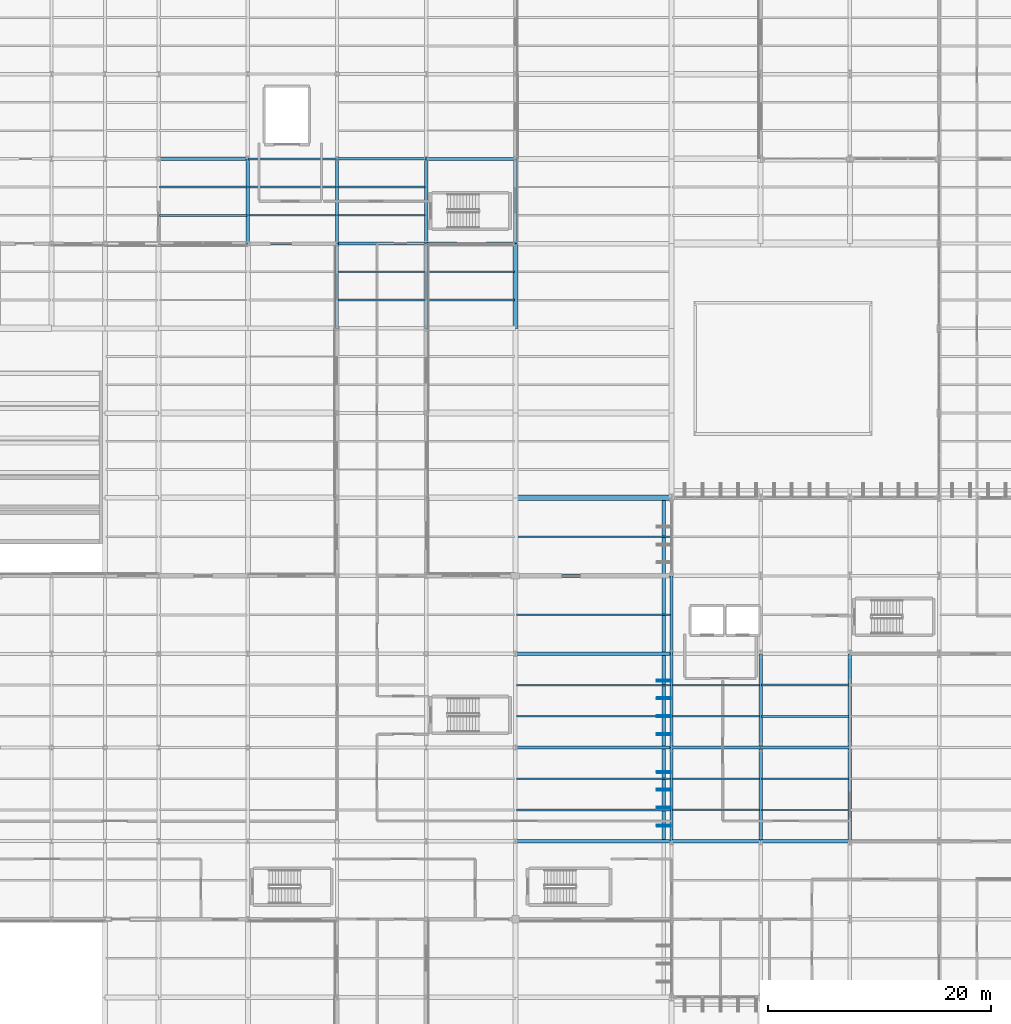
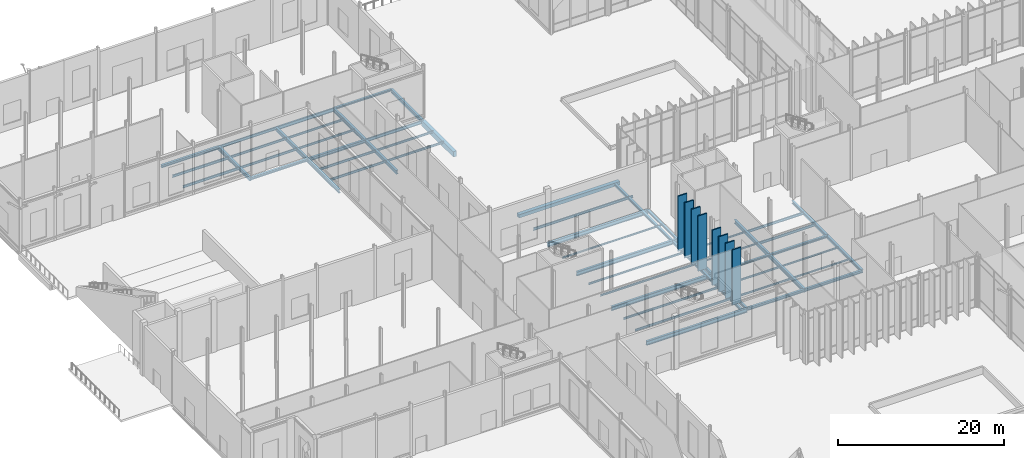
# One storey, part 57 of 176: 56 beams, 8 members.
"""IFC4 building model written with IfcOpenShell, lengths in metres."""

from ifc_helpers import new_model, si_unit, direction, frame, origin, origin_2d, place, context, subcontext, project, spatial, rectangle, hollow_rectangle, i_section, extrude, material, material_profile, profile_set, type_object, element, save


model = new_model("IFC4")

# Units and contexts
model_context = context("Model", 3, precision=1e-05, world=origin(), true_north=direction((0.0, 1.0)))
body_context = subcontext(model_context, "Body", "Model", "MODEL_VIEW")
ifc_project = project(units=[si_unit("LENGTHUNIT", "METRE"), si_unit("AREAUNIT", "SQUARE_METRE"), si_unit("VOLUMEUNIT", "CUBIC_METRE"), si_unit("PLANEANGLEUNIT", "RADIAN"), si_unit("MASSUNIT", "GRAM", prefix="KILO")], contexts=[model_context])

# Site, building, storey
site_placement = place(None, origin())
site = spatial("IfcSite", under=ifc_project, at=site_placement, CompositionType="ELEMENT")
building_placement = place(site_placement, origin())
building = spatial("IfcBuilding", under=site, at=building_placement, Name="Vekula Escarpment Museum", CompositionType="ELEMENT")
storey_placement = place(building_placement, origin())
storey = spatial("IfcBuildingStorey", under=building, at=storey_placement, Name="L01", CompositionType="ELEMENT", Elevation=0.0)

# Beams
ifc_material_1 = material(Name="Steel S355", Category="steel")
ifc_material_profile_1 = material_profile(ifc_material_1, i_section(OverallWidth=0.280029296875, OverallDepth=0.280029296875, WebThickness=0.010498046875, FlangeThickness=0.01806640625, FilletRadius=0.02392578125, at=origin_2d()), Name="HEB 280")
ifc_profile_set_1 = profile_set([ifc_material_profile_1], Name="Steel S355")
beam_type_1 = type_object("IfcBeamType", Name="BM-GIRD-HEB280", PredefinedType="BEAM", material=ifc_profile_set_1)
for number, where, z_axis, x_axis, name in (
    (1, (70.0, 68.0, -0.43994140625), (1.0, 0.0, 0.0), (0.0, 1.0, 0.0), "Beam X L01 0192"),
    (2, (48.0, 120.800048828125, -0.489990234375), (1.0, 0.0, 0.0), (0.0, 1.0, 0.0), "Beam X L01 0337"),
):
    element("IfcBeam", number, at=place(storey_placement, frame(where, z_axis=z_axis, x_axis=x_axis)), inside=storey, type_object=beam_type_1, Name=name, PredefinedType="BEAM", context=body_context, shape_type="SweptSolid", body=[
        extrude(i_section(OverallWidth=0.280029296875, OverallDepth=0.280029296875, WebThickness=0.010498046875, FlangeThickness=0.01806640625, FilletRadius=0.02392578125, at=origin_2d()), origin(), (0.0, 0.0, 1.0), 8.0),
    ])
ifc_material_2 = material(Name="Steel S355", Category="steel")
ifc_material_profile_2 = material_profile(ifc_material_2, i_section(OverallWidth=0.300048828125, OverallDepth=0.320068359375, WebThickness=0.011474609375, FlangeThickness=0.0205078125, FilletRadius=0.027099609375, at=origin_2d()), Name="HEB 320")
ifc_profile_set_2 = profile_set([ifc_material_profile_2], Name="Steel S355")
beam_type_2 = type_object("IfcBeamType", Name="BM-GIRD-HEB320", PredefinedType="BEAM", material=ifc_profile_set_2)
beam_1_placement = place(storey_placement, frame((78.0, 68.0, -0.4599609375), z_axis=(1.0, 0.0, 0.0), x_axis=(0.0, 1.0, 0.0)))
element("IfcBeam", 3, at=beam_1_placement, inside=storey, type_object=beam_type_2, Name="Beam X L01 0193", PredefinedType="BEAM", context=body_context, shape_type="SweptSolid", body=[
    extrude(i_section(OverallWidth=0.300048828125, OverallDepth=0.320068359375, WebThickness=0.011474609375, FlangeThickness=0.0205078125, FilletRadius=0.027099609375, at=origin_2d()), origin(), (0.0, 0.0, 1.0), 8.0),
])
ifc_material_3 = material(Name="Steel S355", Category="steel")
ifc_material_profile_3 = material_profile(ifc_material_3, i_section(OverallWidth=0.300048828125, OverallDepth=0.360107421875, WebThickness=0.012451171875, FlangeThickness=0.0224609375, FilletRadius=0.027099609375, at=origin_2d()), Name="HEB 360")
ifc_profile_set_3 = profile_set([ifc_material_profile_3], Name="Steel S355")
beam_type_3 = type_object("IfcBeamType", Name="BM-GIRD-HEB360", PredefinedType="BEAM", material=ifc_profile_set_3)
beam_2_placement = place(storey_placement, frame((32.0, 113.199951171875, -0.530029296875), z_axis=(1.0, 0.0, 0.0), x_axis=(0.0, 1.0, 0.0)))
element("IfcBeam", 4, at=beam_2_placement, inside=storey, type_object=beam_type_3, Name="Beam X L01 0312", PredefinedType="BEAM", context=body_context, shape_type="SweptSolid", body=[
    extrude(i_section(OverallWidth=0.300048828125, OverallDepth=0.360107421875, WebThickness=0.012451171875, FlangeThickness=0.0224609375, FilletRadius=0.027099609375, at=origin_2d()), origin(), (0.0, 0.0, 1.0), 8.0),
])
beam_3_placement = place(storey_placement, frame((69.320068359375, 59.75, -0.47998046875), z_axis=(0.0, 1.0, 0.0), x_axis=(-1.0, 0.0, 0.0)))
element("IfcBeam", 5, at=beam_3_placement, inside=storey, type_object=beam_type_3, Name="Solar Fin Sill Girder 018", PredefinedType="BEAM", context=body_context, shape_type="SweptSolid", body=[
    extrude(i_section(OverallWidth=0.300048828125, OverallDepth=0.360107421875, WebThickness=0.012451171875, FlangeThickness=0.0224609375, FilletRadius=0.027099609375, at=origin_2d()), origin(), (0.0, 0.0, 1.0), 16.5),
])
beam_4_placement = place(storey_placement, frame((69.320068359375, 76.550048828125, -0.47998046875), z_axis=(0.0, 1.0, 0.0), x_axis=(-1.0, 0.0, 0.0)))
element("IfcBeam", 6, at=beam_4_placement, inside=storey, type_object=beam_type_3, Name="Solar Fin Sill Girder 019", PredefinedType="BEAM", context=body_context, shape_type="SweptSolid", body=[
    extrude(i_section(OverallWidth=0.300048828125, OverallDepth=0.360107421875, WebThickness=0.012451171875, FlangeThickness=0.0224609375, FilletRadius=0.027099609375, at=origin_2d()), origin(), (0.0, 0.0, 1.0), 13.599853515625),
])
ifc_material_4 = material(Name="Steel S355", Category="steel")
ifc_material_profile_4 = material_profile(ifc_material_4, i_section(OverallWidth=0.300048828125, OverallDepth=0.39990234375, WebThickness=0.013427734375, FlangeThickness=0.02392578125, FilletRadius=0.027099609375, at=origin_2d()), Name="HEB 400")
ifc_profile_set_4 = profile_set([ifc_material_profile_4], Name="Steel S355")
beam_type_4 = type_object("IfcBeamType", Name="BM-GIRD-HEB400", PredefinedType="BEAM", material=ifc_profile_set_4)
beam_5_placement = place(storey_placement, frame((24.0, 120.800048828125, -0.550048828125), z_axis=(1.0, 0.0, 0.0), x_axis=(0.0, 1.0, 0.0)))
element("IfcBeam", 7, at=beam_5_placement, inside=storey, type_object=beam_type_4, Name="Beam X L01 0334", PredefinedType="BEAM", context=body_context, shape_type="SweptSolid", body=[
    extrude(i_section(OverallWidth=0.300048828125, OverallDepth=0.39990234375, WebThickness=0.013427734375, FlangeThickness=0.02392578125, FilletRadius=0.027099609375, at=origin_2d()), origin(), (0.0, 0.0, 1.0), 8.0),
])
ifc_material_5 = material(Name="Steel S355", Category="steel")
ifc_material_profile_5 = material_profile(ifc_material_5, i_section(OverallWidth=0.300048828125, OverallDepth=0.449951171875, WebThickness=0.013916015625, FlangeThickness=0.02587890625, FilletRadius=0.027099609375, at=origin_2d()), Name="HEB 450")
ifc_profile_set_5 = profile_set([ifc_material_profile_5], Name="Steel S355")
beam_type_5 = type_object("IfcBeamType", Name="BM-GIRD-HEB450", PredefinedType="BEAM", material=ifc_profile_set_5)
beam_6_placement = place(storey_placement, frame((40.0, 113.199951171875, -0.574951171875), z_axis=(1.0, 0.0, 0.0), x_axis=(0.0, 1.0, 0.0)))
element("IfcBeam", 8, at=beam_6_placement, inside=storey, type_object=beam_type_5, Name="Beam X L01 0313", PredefinedType="BEAM", context=body_context, shape_type="SweptSolid", body=[
    extrude(i_section(OverallWidth=0.300048828125, OverallDepth=0.449951171875, WebThickness=0.013916015625, FlangeThickness=0.02587890625, FilletRadius=0.027099609375, at=origin_2d()), origin(), (0.0, 0.0, 1.0), 8.0),
])
ifc_material_6 = material(Name="Steel S355", Category="steel")
ifc_material_profile_6 = material_profile(ifc_material_6, i_section(OverallWidth=0.300048828125, OverallDepth=0.550048828125, WebThickness=0.014892578125, FlangeThickness=0.029052734375, FilletRadius=0.027099609375, at=origin_2d()), Name="HEB 550")
ifc_profile_set_6 = profile_set([ifc_material_profile_6], Name="Steel S355")
beam_type_6 = type_object("IfcBeamType", Name="BM-GIRD-HEB550", PredefinedType="BEAM", material=ifc_profile_set_6)
beam_7_placement = place(storey_placement, frame((32.0, 113.199951171875, -0.625), z_axis=(0.0, 1.0, 0.0), x_axis=(-1.0, 0.0, 0.0)))
element("IfcBeam", 9, at=beam_7_placement, inside=storey, type_object=beam_type_6, Name="Beam Y L01 0476", PredefinedType="BEAM", context=body_context, shape_type="SweptSolid", body=[
    extrude(i_section(OverallWidth=0.300048828125, OverallDepth=0.550048828125, WebThickness=0.014892578125, FlangeThickness=0.029052734375, FilletRadius=0.027099609375, at=origin_2d()), origin(), (0.0, 0.0, 1.0), 7.60009765625),
])
beam_8_placement = place(storey_placement, frame((40.0, 105.60009765625, -0.625), z_axis=(0.0, 1.0, 0.0), x_axis=(-1.0, 0.0, 0.0)))
element("IfcBeam", 10, at=beam_8_placement, inside=storey, type_object=beam_type_6, Name="Beam Y L01 0493", PredefinedType="BEAM", context=body_context, shape_type="SweptSolid", body=[
    extrude(i_section(OverallWidth=0.300048828125, OverallDepth=0.550048828125, WebThickness=0.014892578125, FlangeThickness=0.029052734375, FilletRadius=0.027099609375, at=origin_2d()), origin(), (0.0, 0.0, 1.0), 7.599853515625),
])
beam_9_placement = place(storey_placement, frame((40.0, 113.199951171875, -0.625), z_axis=(0.0, 1.0, 0.0), x_axis=(-1.0, 0.0, 0.0)))
element("IfcBeam", 11, at=beam_9_placement, inside=storey, type_object=beam_type_6, Name="Beam Y L01 0494", PredefinedType="BEAM", context=body_context, shape_type="SweptSolid", body=[
    extrude(i_section(OverallWidth=0.300048828125, OverallDepth=0.550048828125, WebThickness=0.014892578125, FlangeThickness=0.029052734375, FilletRadius=0.027099609375, at=origin_2d()), origin(), (0.0, 0.0, 1.0), 7.60009765625),
])
beam_10_placement = place(storey_placement, frame((48.0, 105.60009765625, -0.625), z_axis=(0.0, 1.0, 0.0), x_axis=(-1.0, 0.0, 0.0)))
element("IfcBeam", 12, at=beam_10_placement, inside=storey, type_object=beam_type_6, Name="Beam Y L01 0511", PredefinedType="BEAM", context=body_context, shape_type="SweptSolid", body=[
    extrude(i_section(OverallWidth=0.300048828125, OverallDepth=0.550048828125, WebThickness=0.014892578125, FlangeThickness=0.029052734375, FilletRadius=0.027099609375, at=origin_2d()), origin(), (0.0, 0.0, 1.0), 7.599853515625),
])
for number, where, z_axis, x_axis, name in (
    (13, (48.0, 113.199951171875, -0.625), (0.0, 1.0, 0.0), (-1.0, 0.0, 0.0), "Beam Y L01 0512"),
    (14, (56.0, 113.199951171875, -0.625), (0.0, 1.0, 0.0), (-1.0, 0.0, 0.0), "Beam Y L01 0530"),
):
    element("IfcBeam", number, at=place(storey_placement, frame(where, z_axis=z_axis, x_axis=x_axis)), inside=storey, type_object=beam_type_6, Name=name, PredefinedType="BEAM", context=body_context, shape_type="SweptSolid", body=[
        extrude(i_section(OverallWidth=0.300048828125, OverallDepth=0.550048828125, WebThickness=0.014892578125, FlangeThickness=0.029052734375, FilletRadius=0.027099609375, at=origin_2d()), origin(), (0.0, 0.0, 1.0), 7.60009765625),
    ])
for number, where, z_axis, x_axis, name in (
    (15, (78.0, 59.60009765625, -0.574951171875), (0.0, 1.0, 0.0), (-1.0, 0.0, 0.0), "Beam Y L01 0557"),
    (16, (78.0, 68.0, -0.574951171875), (0.0, 1.0, 0.0), (-1.0, 0.0, 0.0), "Beam Y L01 0558"),
):
    element("IfcBeam", number, at=place(storey_placement, frame(where, z_axis=z_axis, x_axis=x_axis)), inside=storey, type_object=beam_type_6, Name=name, PredefinedType="BEAM", context=body_context, shape_type="SweptSolid", body=[
        extrude(i_section(OverallWidth=0.300048828125, OverallDepth=0.550048828125, WebThickness=0.014892578125, FlangeThickness=0.029052734375, FilletRadius=0.027099609375, at=origin_2d()), origin(), (0.0, 0.0, 1.0), 8.39990234375),
    ])
ifc_material_7 = material(Name="Steel S355", Category="steel")
ifc_material_profile_7 = material_profile(ifc_material_7, i_section(OverallWidth=0.300048828125, OverallDepth=0.60009765625, WebThickness=0.015380859375, FlangeThickness=0.030029296875, FilletRadius=0.027099609375, at=origin_2d()), Name="HEB 600")
ifc_profile_set_7 = profile_set([ifc_material_profile_7], Name="Steel S355")
beam_type_7 = type_object("IfcBeamType", Name="BM-GIRD-HEB600", PredefinedType="BEAM", material=ifc_profile_set_7)
for number, where, z_axis, x_axis, name in (
    (17, (56.0, 59.60009765625, -0.60009765625), (1.0, 0.0, 0.0), (0.0, 1.0, 0.0), "Beam X L01 0168"),
    (18, (56.0, 68.0, -0.60009765625), (1.0, 0.0, 0.0), (0.0, 1.0, 0.0), "Beam X L01 0191"),
    (19, (56.0, 76.39990234375, -0.60009765625), (1.0, 0.0, 0.0), (0.0, 1.0, 0.0), "Beam X L01 0214"),
    (20, (56.0, 83.39990234375, -0.60009765625), (1.0, 0.0, 0.0), (0.0, 1.0, 0.0), "Beam X L01 0237"),
):
    element("IfcBeam", number, at=place(storey_placement, frame(where, z_axis=z_axis, x_axis=x_axis)), inside=storey, type_object=beam_type_7, Name=name, PredefinedType="BEAM", context=body_context, shape_type="SweptSolid", body=[
        extrude(i_section(OverallWidth=0.300048828125, OverallDepth=0.60009765625, WebThickness=0.015380859375, FlangeThickness=0.030029296875, FilletRadius=0.027099609375, at=origin_2d()), origin(), (0.0, 0.0, 1.0), 14.0),
    ])
ifc_material_8 = material(Name="Steel S355", Category="steel")
ifc_material_profile_8 = material_profile(ifc_material_8, i_section(OverallWidth=0.179931640625, OverallDepth=0.39990234375, WebThickness=0.008544921875, FlangeThickness=0.013427734375, FilletRadius=0.02099609375, at=origin_2d()), Name="IPE 400")
ifc_profile_set_8 = profile_set([ifc_material_profile_8], Name="Steel S355")
beam_type_8 = type_object("IfcBeamType", Name="BM-GIRD-IPE400", PredefinedType="BEAM", material=ifc_profile_set_8)
beam_11_placement = place(storey_placement, frame((32.0, 120.800048828125, -0.550048828125), z_axis=(1.0, 0.0, 0.0), x_axis=(0.0, 1.0, 0.0)))
element("IfcBeam", 21, at=beam_11_placement, inside=storey, type_object=beam_type_8, Name="Beam X L01 0335", PredefinedType="BEAM", context=body_context, shape_type="SweptSolid", body=[
    extrude(i_section(OverallWidth=0.179931640625, OverallDepth=0.39990234375, WebThickness=0.008544921875, FlangeThickness=0.013427734375, FilletRadius=0.02099609375, at=origin_2d()), origin(), (0.0, 0.0, 1.0), 8.0),
])
ifc_material_9 = material(Name="Steel S355", Category="steel")
ifc_material_profile_9 = material_profile(ifc_material_9, i_section(OverallWidth=0.18994140625, OverallDepth=0.449951171875, WebThickness=0.009521484375, FlangeThickness=0.0146484375, FilletRadius=0.02099609375, at=origin_2d()), Name="IPE 450")
ifc_profile_set_9 = profile_set([ifc_material_profile_9], Name="Steel S355")
beam_type_9 = type_object("IfcBeamType", Name="BM-GIRD-IPE450", PredefinedType="BEAM", material=ifc_profile_set_9)
beam_12_placement = place(storey_placement, frame((48.0, 113.199951171875, -0.574951171875), z_axis=(1.0, 0.0, 0.0), x_axis=(0.0, 1.0, 0.0)))
element("IfcBeam", 22, at=beam_12_placement, inside=storey, type_object=beam_type_9, Name="Beam X L01 0314", PredefinedType="BEAM", context=body_context, shape_type="SweptSolid", body=[
    extrude(i_section(OverallWidth=0.18994140625, OverallDepth=0.449951171875, WebThickness=0.009521484375, FlangeThickness=0.0146484375, FilletRadius=0.02099609375, at=origin_2d()), origin(), (0.0, 0.0, 1.0), 8.0),
])
ifc_material_10 = material(Name="Steel S355", Category="steel")
ifc_material_profile_10 = material_profile(ifc_material_10, i_section(OverallWidth=0.199951171875, OverallDepth=0.5, WebThickness=0.01025390625, FlangeThickness=0.01611328125, FilletRadius=0.02099609375, at=origin_2d()), Name="IPE 500")
ifc_profile_set_10 = profile_set([ifc_material_profile_10], Name="Steel S355")
beam_type_10 = type_object("IfcBeamType", Name="BM-GIRD-IPE500", PredefinedType="BEAM", material=ifc_profile_set_10)
beam_13_placement = place(storey_placement, frame((40.0, 120.800048828125, -0.60009765625), z_axis=(1.0, 0.0, 0.0), x_axis=(0.0, 1.0, 0.0)))
element("IfcBeam", 23, at=beam_13_placement, inside=storey, type_object=beam_type_10, Name="Beam X L01 0336", PredefinedType="BEAM", context=body_context, shape_type="SweptSolid", body=[
    extrude(i_section(OverallWidth=0.199951171875, OverallDepth=0.5, WebThickness=0.01025390625, FlangeThickness=0.01611328125, FilletRadius=0.02099609375, at=origin_2d()), origin(), (0.0, 0.0, 1.0), 8.0),
])
ifc_material_11 = material(Name="Steel S355", Category="steel")
ifc_material_profile_11 = material_profile(ifc_material_11, i_section(OverallWidth=0.1201171875, OverallDepth=0.239990234375, WebThickness=0.006103515625, FlangeThickness=0.009765625, FilletRadius=0.014892578125, at=origin_2d()), Name="IPE 240")
ifc_profile_set_11 = profile_set([ifc_material_profile_11], Name="Steel S355")
beam_type_11 = type_object("IfcBeamType", Name="BM-JST-IPE240", PredefinedType="JOIST", material=ifc_profile_set_11)
beam_14_placement = place(storey_placement, frame((56.090087890625, 79.89990234375, -0.419921875), z_axis=(1.0, 0.0, 0.0), x_axis=(0.0, 1.0, 0.0)))
element("IfcBeam", 24, at=beam_14_placement, inside=storey, type_object=beam_type_11, Name="Secondary Joist L01 0218", PredefinedType="JOIST", context=body_context, shape_type="SweptSolid", body=[
    extrude(i_section(OverallWidth=0.1201171875, OverallDepth=0.239990234375, WebThickness=0.006103515625, FlangeThickness=0.009765625, FilletRadius=0.014892578125, at=origin_2d()), origin(), (0.0, 0.0, 1.0), 13.81982421875),
])
for number, where, z_axis, x_axis, name in (
    (25, (70.090087890625, 70.800048828125, -0.419921875), (1.0, 0.0, 0.0), (0.0, 1.0, 0.0), "Secondary Joist L01 0242"),
    (26, (70.090087890625, 73.60009765625, -0.419921875), (1.0, 0.0, 0.0), (0.0, 1.0, 0.0), "Secondary Joist L01 0243"),
    (27, (78.090087890625, 62.39990234375, -0.419921875), (1.0, 0.0, 0.0), (0.0, 1.0, 0.0), "Secondary Joist L01 0259"),
    (28, (78.090087890625, 65.199951171875, -0.419921875), (1.0, 0.0, 0.0), (0.0, 1.0, 0.0), "Secondary Joist L01 0260"),
):
    element("IfcBeam", number, at=place(storey_placement, frame(where, z_axis=z_axis, x_axis=x_axis)), inside=storey, type_object=beam_type_11, Name=name, PredefinedType="JOIST", context=body_context, shape_type="SweptSolid", body=[
        extrude(i_section(OverallWidth=0.1201171875, OverallDepth=0.239990234375, WebThickness=0.006103515625, FlangeThickness=0.009765625, FilletRadius=0.014892578125, at=origin_2d()), origin(), (0.0, 0.0, 1.0), 7.81982421875),
    ])
ifc_material_12 = material(Name="Steel S355", Category="steel")
ifc_material_profile_12 = material_profile(ifc_material_12, i_section(OverallWidth=0.135009765625, OverallDepth=0.27001953125, WebThickness=0.006591796875, FlangeThickness=0.01025390625, FilletRadius=0.014892578125, at=origin_2d()), Name="IPE 270")
ifc_profile_set_12 = profile_set([ifc_material_profile_12], Name="Steel S355")
beam_type_12 = type_object("IfcBeamType", Name="BM-JST-IPE270", PredefinedType="JOIST", material=ifc_profile_set_12)
for number, where, z_axis, x_axis, name in (
    (29, (56.090087890625, 70.800048828125, -0.43505859375), (1.0, 0.0, 0.0), (0.0, 1.0, 0.0), "Secondary Joist L01 0216"),
    (30, (56.090087890625, 73.60009765625, -0.43505859375), (1.0, 0.0, 0.0), (0.0, 1.0, 0.0), "Secondary Joist L01 0217"),
):
    element("IfcBeam", number, at=place(storey_placement, frame(where, z_axis=z_axis, x_axis=x_axis)), inside=storey, type_object=beam_type_12, Name=name, PredefinedType="JOIST", context=body_context, shape_type="SweptSolid", body=[
        extrude(i_section(OverallWidth=0.135009765625, OverallDepth=0.27001953125, WebThickness=0.006591796875, FlangeThickness=0.01025390625, FilletRadius=0.014892578125, at=origin_2d()), origin(), (0.0, 0.0, 1.0), 13.81982421875),
    ])
for number, where, z_axis, x_axis, name in (
    (31, (70.090087890625, 62.39990234375, -0.43505859375), (1.0, 0.0, 0.0), (0.0, 1.0, 0.0), "Secondary Joist L01 0240"),
    (32, (70.090087890625, 65.199951171875, -0.43505859375), (1.0, 0.0, 0.0), (0.0, 1.0, 0.0), "Secondary Joist L01 0241"),
):
    element("IfcBeam", number, at=place(storey_placement, frame(where, z_axis=z_axis, x_axis=x_axis)), inside=storey, type_object=beam_type_12, Name=name, PredefinedType="JOIST", context=body_context, shape_type="SweptSolid", body=[
        extrude(i_section(OverallWidth=0.135009765625, OverallDepth=0.27001953125, WebThickness=0.006591796875, FlangeThickness=0.01025390625, FilletRadius=0.014892578125, at=origin_2d()), origin(), (0.0, 0.0, 1.0), 7.81982421875),
    ])
ifc_material_13 = material(Name="Steel S355", Category="steel")
ifc_material_profile_13 = material_profile(ifc_material_13, i_section(OverallWidth=0.14990234375, OverallDepth=0.300048828125, WebThickness=0.007080078125, FlangeThickness=0.0107421875, FilletRadius=0.014892578125, at=origin_2d()), Name="IPE 300")
ifc_profile_set_13 = profile_set([ifc_material_profile_13], Name="Steel S355")
beam_type_13 = type_object("IfcBeamType", Name="BM-JST-IPE300", PredefinedType="JOIST", material=ifc_profile_set_13)
for number, where, z_axis, x_axis, name in (
    (33, (40.090087890625, 115.7333984375, -0.5), (1.0, 0.0, 0.0), (0.0, 1.0, 0.0), "Secondary Joist L01 0169"),
    (34, (40.090087890625, 118.2666015625, -0.5), (1.0, 0.0, 0.0), (0.0, 1.0, 0.0), "Secondary Joist L01 0170"),
    (35, (48.090087890625, 108.13330078125, -0.5), (1.0, 0.0, 0.0), (0.0, 1.0, 0.0), "Secondary Joist L01 0195"),
    (36, (48.090087890625, 110.666748046875, -0.5), (1.0, 0.0, 0.0), (0.0, 1.0, 0.0), "Secondary Joist L01 0196"),
):
    element("IfcBeam", number, at=place(storey_placement, frame(where, z_axis=z_axis, x_axis=x_axis)), inside=storey, type_object=beam_type_13, Name=name, PredefinedType="JOIST", context=body_context, shape_type="SweptSolid", body=[
        extrude(i_section(OverallWidth=0.14990234375, OverallDepth=0.300048828125, WebThickness=0.007080078125, FlangeThickness=0.0107421875, FilletRadius=0.014892578125, at=origin_2d()), origin(), (0.0, 0.0, 1.0), 7.81982421875),
    ])
for number, where, z_axis, x_axis, name in (
    (37, (56.090087890625, 62.39990234375, -0.449951171875), (1.0, 0.0, 0.0), (0.0, 1.0, 0.0), "Secondary Joist L01 0214"),
    (38, (56.090087890625, 65.199951171875, -0.449951171875), (1.0, 0.0, 0.0), (0.0, 1.0, 0.0), "Secondary Joist L01 0215"),
):
    element("IfcBeam", number, at=place(storey_placement, frame(where, z_axis=z_axis, x_axis=x_axis)), inside=storey, type_object=beam_type_13, Name=name, PredefinedType="JOIST", context=body_context, shape_type="SweptSolid", body=[
        extrude(i_section(OverallWidth=0.14990234375, OverallDepth=0.300048828125, WebThickness=0.007080078125, FlangeThickness=0.0107421875, FilletRadius=0.014892578125, at=origin_2d()), origin(), (0.0, 0.0, 1.0), 13.81982421875),
    ])
ifc_material_14 = material(Name="Steel S355", Category="steel")
ifc_material_profile_14 = material_profile(ifc_material_14, i_section(OverallWidth=0.159912109375, OverallDepth=0.330078125, WebThickness=0.007568359375, FlangeThickness=0.011474609375, FilletRadius=0.01806640625, at=origin_2d()), Name="IPE 330")
ifc_profile_set_14 = profile_set([ifc_material_profile_14], Name="Steel S355")
beam_type_14 = type_object("IfcBeamType", Name="BM-JST-IPE330", PredefinedType="JOIST", material=ifc_profile_set_14)
for number, where, z_axis, x_axis, name in (
    (39, (32.090087890625, 115.7333984375, -0.514892578125), (1.0, 0.0, 0.0), (0.0, 1.0, 0.0), "Secondary Joist L01 0139"),
    (40, (32.090087890625, 118.2666015625, -0.514892578125), (1.0, 0.0, 0.0), (0.0, 1.0, 0.0), "Secondary Joist L01 0140"),
    (41, (40.090087890625, 108.13330078125, -0.514892578125), (1.0, 0.0, 0.0), (0.0, 1.0, 0.0), "Secondary Joist L01 0167"),
    (42, (40.090087890625, 110.666748046875, -0.514892578125), (1.0, 0.0, 0.0), (0.0, 1.0, 0.0), "Secondary Joist L01 0168"),
):
    element("IfcBeam", number, at=place(storey_placement, frame(where, z_axis=z_axis, x_axis=x_axis)), inside=storey, type_object=beam_type_14, Name=name, PredefinedType="JOIST", context=body_context, shape_type="SweptSolid", body=[
        extrude(i_section(OverallWidth=0.159912109375, OverallDepth=0.330078125, WebThickness=0.007568359375, FlangeThickness=0.011474609375, FilletRadius=0.01806640625, at=origin_2d()), origin(), (0.0, 0.0, 1.0), 7.81982421875),
    ])
ifc_material_15 = material(Name="Steel S355", Category="steel")
ifc_material_profile_15 = material_profile(ifc_material_15, i_section(OverallWidth=0.169921875, OverallDepth=0.360107421875, WebThickness=0.008056640625, FlangeThickness=0.0126953125, FilletRadius=0.01806640625, at=origin_2d()), Name="IPE 360")
ifc_profile_set_15 = profile_set([ifc_material_profile_15], Name="Steel S355")
beam_type_15 = type_object("IfcBeamType", Name="BM-JST-IPE360", PredefinedType="JOIST", material=ifc_profile_set_15)
for number, where, z_axis, x_axis, name in (
    (43, (24.090087890625, 115.7333984375, -0.530029296875), (1.0, 0.0, 0.0), (0.0, 1.0, 0.0), "Secondary Joist L01 0108"),
    (44, (24.090087890625, 118.2666015625, -0.530029296875), (1.0, 0.0, 0.0), (0.0, 1.0, 0.0), "Secondary Joist L01 0109"),
):
    element("IfcBeam", number, at=place(storey_placement, frame(where, z_axis=z_axis, x_axis=x_axis)), inside=storey, type_object=beam_type_15, Name=name, PredefinedType="JOIST", context=body_context, shape_type="SweptSolid", body=[
        extrude(i_section(OverallWidth=0.169921875, OverallDepth=0.360107421875, WebThickness=0.008056640625, FlangeThickness=0.0126953125, FilletRadius=0.01806640625, at=origin_2d()), origin(), (0.0, 0.0, 1.0), 7.81982421875),
    ])
beam_15_placement = place(storey_placement, frame((56.090087890625, 86.89990234375, -0.47998046875), z_axis=(1.0, 0.0, 0.0), x_axis=(0.0, 1.0, 0.0)))
element("IfcBeam", 45, at=beam_15_placement, inside=storey, type_object=beam_type_15, Name="Secondary Joist L01 0219", PredefinedType="JOIST", context=body_context, shape_type="SweptSolid", body=[
    extrude(i_section(OverallWidth=0.169921875, OverallDepth=0.360107421875, WebThickness=0.008056640625, FlangeThickness=0.0126953125, FilletRadius=0.01806640625, at=origin_2d()), origin(), (0.0, 0.0, 1.0), 13.81982421875),
])
for number, where, z_axis, x_axis, name in (
    (46, (78.090087890625, 70.800048828125, -0.47998046875), (1.0, 0.0, 0.0), (0.0, 1.0, 0.0), "Secondary Joist L01 0261"),
    (47, (78.090087890625, 73.60009765625, -0.47998046875), (1.0, 0.0, 0.0), (0.0, 1.0, 0.0), "Secondary Joist L01 0262"),
):
    element("IfcBeam", number, at=place(storey_placement, frame(where, z_axis=z_axis, x_axis=x_axis)), inside=storey, type_object=beam_type_15, Name=name, PredefinedType="JOIST", context=body_context, shape_type="SweptSolid", body=[
        extrude(i_section(OverallWidth=0.169921875, OverallDepth=0.360107421875, WebThickness=0.008056640625, FlangeThickness=0.0126953125, FilletRadius=0.01806640625, at=origin_2d()), origin(), (0.0, 0.0, 1.0), 7.81982421875),
    ])
ifc_material_16 = material(Name="Concrete C35/45", Category="concrete")
ifc_material_profile_16 = material_profile(ifc_material_16, rectangle(XDim=0.449951171875, YDim=0.800048828125, at=origin_2d()), Name="RC 450x800")
ifc_profile_set_16 = profile_set([ifc_material_profile_16], Name="Concrete C35/45")
beam_type_16 = type_object("IfcBeamType", Name="BM-PLINTH-RC", PredefinedType="BEAM", material=ifc_profile_set_16)
beam_16_placement = place(storey_placement, frame((56.0, 105.60009765625, -0.75), z_axis=(0.0, 1.0, 0.0), x_axis=(-1.0, 0.0, 0.0)))
element("IfcBeam", 48, at=beam_16_placement, inside=storey, type_object=beam_type_16, Name="Beam Y L01 0529", PredefinedType="BEAM", context=body_context, shape_type="SweptSolid", body=[
    extrude(rectangle(XDim=0.449951171875, YDim=0.800048828125, at=origin_2d()), origin(), (0.0, 0.0, 1.0), 7.599853515625),
])
ifc_material_17 = material(Name="Concrete C35/45", Category="concrete")
ifc_material_profile_17 = material_profile(ifc_material_17, rectangle(XDim=0.5, YDim=0.5, at=origin_2d()), Name="RC 500x500")
ifc_profile_set_17 = profile_set([ifc_material_profile_17], Name="Concrete C35/45")
beam_type_17 = type_object("IfcBeamType", Name="BM-PLINTH-RC3", PredefinedType="BEAM", material=ifc_profile_set_17)
beam_17_placement = place(storey_placement, frame((56.0, 90.39990234375, -0.550048828125), z_axis=(1.0, 0.0, 0.0), x_axis=(0.0, 1.0, 0.0)))
element("IfcBeam", 49, at=beam_17_placement, inside=storey, type_object=beam_type_17, Name="Beam X L01 0256", PredefinedType="BEAM", context=body_context, shape_type="SweptSolid", body=[
    extrude(rectangle(XDim=0.5, YDim=0.5, at=origin_2d()), origin(), (0.0, 0.0, 1.0), 14.0),
])
ifc_material_18 = material(Name="Steel S355", Category="steel")
ifc_material_profile_18 = material_profile(ifc_material_18, i_section(OverallWidth=0.300048828125, OverallDepth=0.2900390625, WebThickness=0.008544921875, FlangeThickness=0.013916015625, FilletRadius=0.027099609375, at=origin_2d()), Name="HEA 300")
ifc_profile_set_18 = profile_set([ifc_material_profile_18], Name="Steel S355")
beam_type_18 = type_object("IfcBeamType", Name="BM-SPAN-HEA300", PredefinedType="SPANDREL", material=ifc_profile_set_18)
beam_18_placement = place(storey_placement, frame((70.0, 76.39990234375, -0.445068359375), z_axis=(0.0, 1.0, 0.0), x_axis=(-1.0, 0.0, 0.0)))
element("IfcBeam", 50, at=beam_18_placement, inside=storey, type_object=beam_type_18, Name="Beam Y L01 0544", PredefinedType="SPANDREL", context=body_context, shape_type="SweptSolid", body=[
    extrude(i_section(OverallWidth=0.300048828125, OverallDepth=0.2900390625, WebThickness=0.008544921875, FlangeThickness=0.013916015625, FilletRadius=0.027099609375, at=origin_2d()), origin(), (0.0, 0.0, 1.0), 7.0),
])
ifc_material_19 = material(Name="Steel S355", Category="steel")
ifc_material_profile_19 = material_profile(ifc_material_19, i_section(OverallWidth=0.300048828125, OverallDepth=0.389892578125, WebThickness=0.010986328125, FlangeThickness=0.01904296875, FilletRadius=0.027099609375, at=origin_2d()), Name="HEA 400")
ifc_profile_set_19 = profile_set([ifc_material_profile_19], Name="Steel S355")
beam_type_19 = type_object("IfcBeamType", Name="BM-SPAN-HEA400", PredefinedType="SPANDREL", material=ifc_profile_set_19)
for number, where, z_axis, x_axis, name in (
    (51, (70.0, 59.60009765625, -0.4951171875), (1.0, 0.0, 0.0), (0.0, 1.0, 0.0), "Beam X L01 0169"),
    (52, (78.0, 59.60009765625, -0.4951171875), (1.0, 0.0, 0.0), (0.0, 1.0, 0.0), "Beam X L01 0170"),
):
    element("IfcBeam", number, at=place(storey_placement, frame(where, z_axis=z_axis, x_axis=x_axis)), inside=storey, type_object=beam_type_19, Name=name, PredefinedType="SPANDREL", context=body_context, shape_type="SweptSolid", body=[
        extrude(i_section(OverallWidth=0.300048828125, OverallDepth=0.389892578125, WebThickness=0.010986328125, FlangeThickness=0.01904296875, FilletRadius=0.027099609375, at=origin_2d()), origin(), (0.0, 0.0, 1.0), 8.0),
    ])
ifc_material_20 = material(Name="Steel S355", Category="steel")
ifc_material_profile_20 = material_profile(ifc_material_20, i_section(OverallWidth=0.300048828125, OverallDepth=0.43994140625, WebThickness=0.011474609375, FlangeThickness=0.02099609375, FilletRadius=0.027099609375, at=origin_2d()), Name="HEA 450")
ifc_profile_set_20 = profile_set([ifc_material_profile_20], Name="Steel S355")
beam_type_20 = type_object("IfcBeamType", Name="BM-SPAN-HEA450", PredefinedType="SPANDREL", material=ifc_profile_set_20)
for number, where, z_axis, x_axis, name in (
    (53, (70.0, 59.60009765625, -0.52001953125), (0.0, 1.0, 0.0), (-1.0, 0.0, 0.0), "Beam Y L01 0542"),
    (54, (70.0, 68.0, -0.52001953125), (0.0, 1.0, 0.0), (-1.0, 0.0, 0.0), "Beam Y L01 0543"),
    (55, (86.0, 59.60009765625, -0.52001953125), (0.0, 1.0, 0.0), (-1.0, 0.0, 0.0), "Beam Y L01 0569"),
    (56, (86.0, 68.0, -0.52001953125), (0.0, 1.0, 0.0), (-1.0, 0.0, 0.0), "Beam Y L01 0570"),
):
    element("IfcBeam", number, at=place(storey_placement, frame(where, z_axis=z_axis, x_axis=x_axis)), inside=storey, type_object=beam_type_20, Name=name, PredefinedType="SPANDREL", context=body_context, shape_type="SweptSolid", body=[
        extrude(i_section(OverallWidth=0.300048828125, OverallDepth=0.43994140625, WebThickness=0.011474609375, FlangeThickness=0.02099609375, FilletRadius=0.027099609375, at=origin_2d()), origin(), (0.0, 0.0, 1.0), 8.39990234375),
    ])

# Members
ifc_material_21 = material(Name="Steel S355 weathered bronze solar fin", Category="steel")
ifc_material_profile_21 = material_profile(ifc_material_21, hollow_rectangle(XDim=0.179931640625, YDim=1.25, WallThickness=0.010009765625, InnerFilletRadius=0.010009765625, OuterFilletRadius=0.02001953125, at=origin_2d()), Name="RHS 1250x180x10")
ifc_profile_set_21 = profile_set([ifc_material_profile_21], Name="Steel S355 weathered bronze solar fin")
member_type = type_object("IfcMemberType", Name="MB-SOLAR-FIN", PredefinedType="USERDEFINED", material=ifc_profile_set_21)
for number, where, z_axis, x_axis, name in (
    (57, (69.320068359375, 61.0, -0.320068359375), (0.0, 0.0, 1.0), (0.0, 1.0, 0.0), "Great Hall Vertical Solar Fin 0296"),
    (58, (69.320068359375, 62.60009765625, -0.320068359375), (0.0, 0.0, 1.0), (0.0, 1.0, 0.0), "Great Hall Vertical Solar Fin 0301"),
    (59, (69.320068359375, 64.199951171875, -0.320068359375), (0.0, 0.0, 1.0), (0.0, 1.0, 0.0), "Great Hall Vertical Solar Fin 0306"),
    (60, (69.320068359375, 65.800048828125, -0.320068359375), (0.0, 0.0, 1.0), (0.0, 1.0, 0.0), "Great Hall Vertical Solar Fin 0311"),
    (61, (69.320068359375, 69.199951171875, -0.320068359375), (0.0, 0.0, 1.0), (0.0, 1.0, 0.0), "Great Hall Vertical Solar Fin 0316"),
    (62, (69.320068359375, 70.800048828125, -0.320068359375), (0.0, 0.0, 1.0), (0.0, 1.0, 0.0), "Great Hall Vertical Solar Fin 0321"),
    (63, (69.320068359375, 72.39990234375, -0.320068359375), (0.0, 0.0, 1.0), (0.0, 1.0, 0.0), "Great Hall Vertical Solar Fin 0326"),
    (64, (69.320068359375, 74.0, -0.320068359375), (0.0, 0.0, 1.0), (0.0, 1.0, 0.0), "Great Hall Vertical Solar Fin 0331"),
):
    element("IfcMember", number, at=place(storey_placement, frame(where, z_axis=z_axis, x_axis=x_axis)), inside=storey, type_object=member_type, Name=name, ObjectType="SOLAR FIN", PredefinedType="USERDEFINED", context=body_context, shape_type="SweptSolid", body=[
        extrude(hollow_rectangle(XDim=0.179931640625, YDim=1.25, WallThickness=0.010009765625, InnerFilletRadius=0.010009765625, OuterFilletRadius=0.02001953125, at=origin_2d()), origin(), (0.0, 0.0, 1.0), 8.1201171875),
    ])

save(model, "model.ifc")
